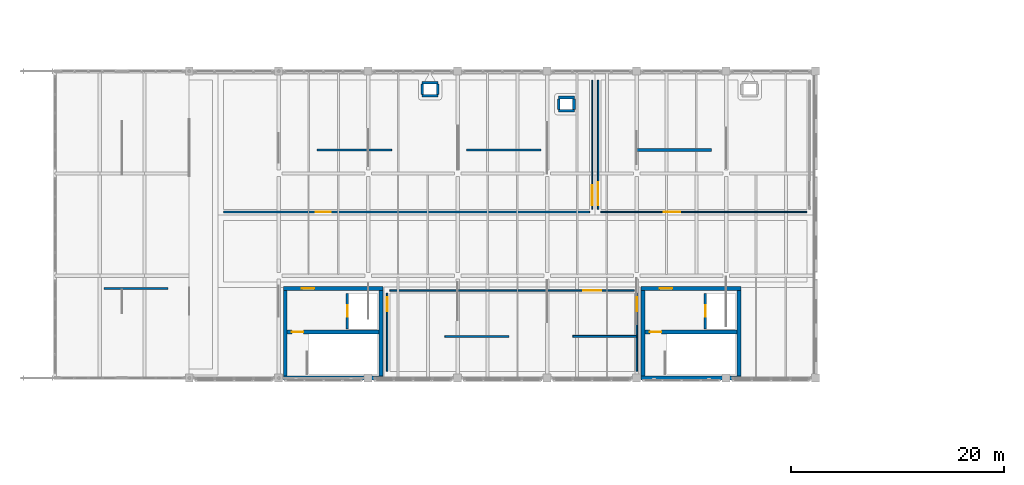
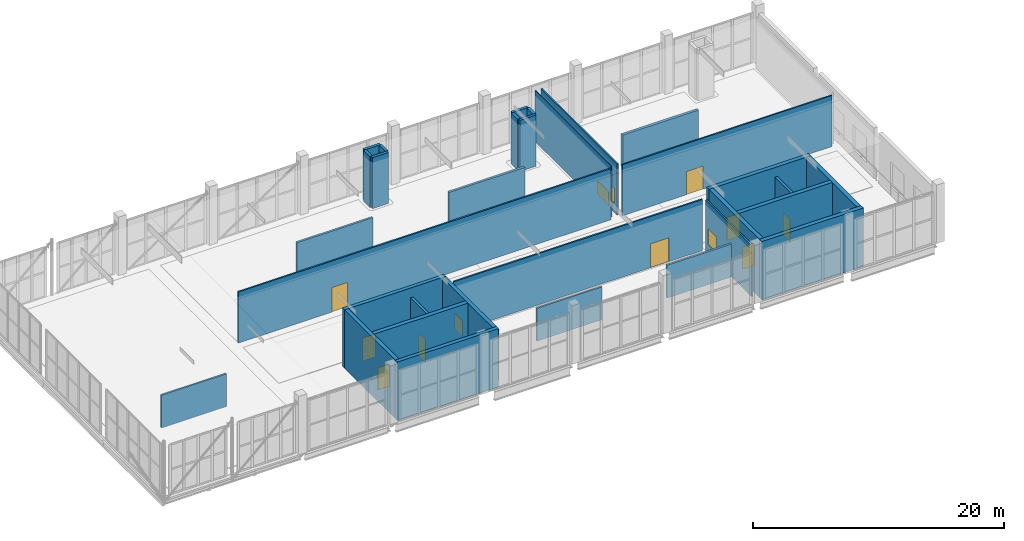
# One storey, part 38 of 49: 33 walls, 9 doors, 4 windows, 13 openings.
"""IFC4 building model written with IfcOpenShell, lengths in metres."""

from ifc_helpers import new_model, si_unit, direction, frame, frame_2d, origin, place, context, subcontext, project, spatial, rectangle, extrude, material, layer, layer_set, type_object, element, fill, save


model = new_model("IFC4")

# Units and contexts
model_context = context("Model", 3, precision=1e-05, world=origin(), true_north=direction((0.0, 1.0)))
body_context = subcontext(model_context, "Body", "Model", "MODEL_VIEW")
ifc_project = project(units=[si_unit("LENGTHUNIT", "METRE"), si_unit("AREAUNIT", "SQUARE_METRE"), si_unit("VOLUMEUNIT", "CUBIC_METRE"), si_unit("PLANEANGLEUNIT", "RADIAN"), si_unit("MASSUNIT", "GRAM", prefix="KILO")], contexts=[model_context])

# Site, building, storey
site_placement = place(None, origin())
site = spatial("IfcSite", under=ifc_project, at=site_placement, CompositionType="ELEMENT")
building_placement = place(site_placement, origin())
building = spatial("IfcBuilding", under=site, at=building_placement, Name="Zulmaris Art Gallery", CompositionType="ELEMENT")
storey_placement = place(building_placement, frame((0.0, 0.0, 20.699951171875)))
storey = spatial("IfcBuildingStorey", under=building, at=storey_placement, Name="L04", CompositionType="ELEMENT", Elevation=20.699951171875)

# Walls
ifc_material_1 = material(Name="Demountable Timber-Clad Exhibition Wall A", Category="wood")
ifc_layer_1 = layer(ifc_material_1, 0.152099609375)
ifc_layer_set_1 = layer_set([ifc_layer_1], Name="Demountable Timber-Clad Exhibition Wall A")
wall_type_1 = type_object("IfcWallType", Name="IWALL-MW01", PredefinedType="MOVABLE", material=ifc_layer_set_1)
for number, where, z_axis, x_axis, name in (
    (1, (16.0, 30.0, 0.0), (0.0, 0.0, 1.0), (1.0, 0.0, 0.0), "L04 Movable Gallery Display Wall 19"),
    (2, (48.0, 25.5, 0.0), (0.0, 0.0, 1.0), (1.0, 0.0, 0.0), "L04 Movable Gallery Display Wall 23"),
):
    element("IfcWall", number, at=place(storey_placement, frame(where, z_axis=z_axis, x_axis=x_axis)), inside=storey, type_object=wall_type_1, Name=name, PredefinedType="MOVABLE", context=body_context, shape_type="SweptSolid", body=[
        extrude(rectangle(XDim=6.0, YDim=0.152099609375, at=frame_2d((3.0, 0.0))), origin(), (0.0, 0.0, 1.0), 3.199951171875),
    ])
ifc_material_2 = material(Name="Track-Hung Acoustic Gallery Display Wall B", Category="timber")
ifc_layer_2 = layer(ifc_material_2, 0.181884765625)
ifc_layer_set_2 = layer_set([ifc_layer_2], Name="Track-Hung Acoustic Gallery Display Wall B")
wall_type_2 = type_object("IfcWallType", Name="IWALL-MW02", PredefinedType="MOVABLE", material=ifc_layer_set_2)
wall_1_placement = place(storey_placement, frame((36.0, 43.0, 0.0), z_axis=(0.0, 0.0, 1.0), x_axis=(1.0, 0.0, 0.0)))
element("IfcWall", 3, at=wall_1_placement, inside=storey, type_object=wall_type_2, Name="L04 Movable Gallery Display Wall 20", PredefinedType="MOVABLE", context=body_context, shape_type="SweptSolid", body=[
    extrude(rectangle(XDim=7.0, YDim=0.181884765625, at=frame_2d((3.5, 0.0))), origin(), (0.0, 0.0, 1.0), 3.199951171875),
])
wall_2_placement = place(storey_placement, frame((60.0, 25.5, 0.0), z_axis=(0.0, 0.0, 1.0), x_axis=(1.0, 0.0, 0.0)))
element("IfcWall", 4, at=wall_2_placement, inside=storey, type_object=wall_type_2, Name="L04 Movable Gallery Display Wall 24", PredefinedType="MOVABLE", context=body_context, shape_type="SweptSolid", body=[
    extrude(rectangle(XDim=6.0, YDim=0.181884765625, at=frame_2d((3.0, 0.0))), origin(), (0.0, 0.0, 1.0), 3.199951171875),
])
ifc_material_3 = material(Name="Freestanding Sculpture Plinth Screen Wall C", Category="timber")
ifc_layer_3 = layer(ifc_material_3, 0.2119140625)
ifc_layer_set_3 = layer_set([ifc_layer_3], Name="Freestanding Sculpture Plinth Screen Wall C")
wall_type_3 = type_object("IfcWallType", Name="IWALL-MW03", PredefinedType="MOVABLE", material=ifc_layer_set_3)
wall_3_placement = place(storey_placement, frame((50.0, 43.0, 0.0), z_axis=(0.0, 0.0, 1.0), x_axis=(1.0, 0.0, 0.0)))
element("IfcWall", 5, at=wall_3_placement, inside=storey, type_object=wall_type_3, Name="L04 Movable Gallery Display Wall 21", PredefinedType="MOVABLE", context=body_context, shape_type="SweptSolid", body=[
    extrude(rectangle(XDim=7.0, YDim=0.2119140625, at=frame_2d((3.5, 0.0))), origin(), (0.0, 0.0, 1.0), 3.199951171875),
])
ifc_material_4 = material(Name="Pivoting Double-Sided Canvas Display Wall D", Category="timber")
ifc_layer_4 = layer(ifc_material_4, 0.248046875)
ifc_layer_set_4 = layer_set([ifc_layer_4], Name="Pivoting Double-Sided Canvas Display Wall D")
wall_type_4 = type_object("IfcWallType", Name="IWALL-MW04", PredefinedType="MOVABLE", material=ifc_layer_set_4)
wall_4_placement = place(storey_placement, frame((66.0, 43.0, 0.0), z_axis=(0.0, 0.0, 1.0), x_axis=(1.0, 0.0, 0.0)))
element("IfcWall", 6, at=wall_4_placement, inside=storey, type_object=wall_type_4, Name="L04 Movable Gallery Display Wall 22", PredefinedType="MOVABLE", context=body_context, shape_type="SweptSolid", body=[
    extrude(rectangle(XDim=7.0, YDim=0.248046875, at=frame_2d((3.5, 0.0))), origin(), (0.0, 0.0, 1.0), 3.199951171875),
])

# Wall, opening, window
ifc_material_5 = material(Name="Acoustic Office Gypsum Partition", Category="gypsum")
ifc_layer_5 = layer(ifc_material_5, 0.10009765625)
ifc_layer_set_5 = layer_set([ifc_layer_5], Name="Acoustic Office Gypsum Partition")
wall_type_5 = type_object("IfcWallType", Name="IWALL-PW01", PredefinedType="PARTITIONING", material=ifc_layer_set_5)
wall_5_placement = place(storey_placement, frame((61.820068359375, 37.429931640625, 0.0), z_axis=(0.0, 0.0, 1.0), x_axis=(0.0, 1.0, 0.0)))
wall_5 = element("IfcWall", 7, at=wall_5_placement, inside=storey, type_object=wall_type_5, Name="Top-Lit Grand Exhibition Gallery Hall E partition", PredefinedType="PARTITIONING", context=body_context, shape_type="SweptSolid", body=[
    extrude(rectangle(XDim=12.14013671875, YDim=0.10009765625, at=frame_2d((6.070068359375, 0.0))), origin(), (0.0, 0.0, 1.0), 4.97998046875),
])
opening_1_placement = place(wall_5_placement, frame((0.39990234375, 0.0, 0.89990234375)))
opening_1 = element("IfcOpeningElement", 8, at=opening_1_placement, cuts=wall_5, Name="Opening IW02", PredefinedType="OPENING", context=body_context, shape_type="SweptSolid", body=[
    extrude(rectangle(XDim=1.860107421875, YDim=1.280029296875, at=frame_2d((0.93017578125, 0.64013671875))), frame((0.0, 0.06005859375, 0.0), z_axis=(0.0, -1.0, 0.0), x_axis=(1.0, 0.0, 0.0)), (0.0, 0.0, 1.0), 0.1201171875),
])
ifc_material_6 = material(Name="Auditorium Booth Acoustic Window", Category="glass")
window_type_1 = type_object("IfcWindowType", Name="IWIN-IW02", PartitioningType="SINGLE_PANEL", PredefinedType="WINDOW", material=ifc_material_6)
window_1_placement = place(opening_1_placement, origin())
window_1 = element("IfcWindow", 9, at=window_1_placement, inside=storey, type_object=window_type_1, Name="L04 interior observation window IW02", OverallHeight=1.280029296875, OverallWidth=1.860107421875, PartitioningType="SINGLE_PANEL", PredefinedType="WINDOW", context=body_context, shape_type="SweptSolid", body=[
    extrude(rectangle(XDim=1.860107421875, YDim=1.280029296875, at=frame_2d((0.93017578125, 0.64013671875))), frame((0.0, 0.030029296875, 0.0), z_axis=(0.0, -1.0, 0.0), x_axis=(1.0, 0.0, 0.0)), (0.0, 0.0, 1.0), 0.06005859375),
])
fill(opening_1, window_1)

# Wall, opening, door
ifc_material_7 = material(Name="Light Gallery Backing Partition", Category="gypsum")
ifc_layer_6 = layer(ifc_material_7, 0.1298828125)
ifc_layer_set_6 = layer_set([ifc_layer_6], Name="Light Gallery Backing Partition")
wall_type_6 = type_object("IfcWallType", Name="IWALL-PW03", PredefinedType="PARTITIONING", material=ifc_layer_set_6)
wall_6_placement = place(storey_placement, frame((62.6298828125, 37.179931640625, 0.0), z_axis=(0.0, 0.0, 1.0), x_axis=(1.0, 0.0, 0.0)))
wall_6 = element("IfcWall", 10, at=wall_6_placement, inside=storey, type_object=wall_type_6, Name="East Skylight Contemporary Gallery S partition", PredefinedType="PARTITIONING", context=body_context, shape_type="SweptSolid", body=[
    extrude(rectangle(XDim=19.340087890625, YDim=0.1298828125, at=frame_2d((9.669921875, 0.0))), origin(), (0.0, 0.0, 1.0), 4.97998046875),
])
opening_2_placement = place(wall_6_placement, frame((5.89990234375, 0.0, 0.0)))
opening_2 = element("IfcOpeningElement", 11, at=opening_2_placement, cuts=wall_6, Name="Opening D13", PredefinedType="OPENING", context=body_context, shape_type="SweptSolid", body=[
    extrude(rectangle(XDim=1.56005859375, YDim=2.260009765625, at=frame_2d((0.780029296875, 1.1298828125))), frame((0.0, 0.074951171875, 0.0), z_axis=(0.0, -1.0, 0.0), x_axis=(1.0, 0.0, 0.0)), (0.0, 0.0, 1.0), 0.14990234375),
])
ifc_material_8 = material(Name="Corridor Cross-Compartment Double Door", Category="timber")
door_type_1 = type_object("IfcDoorType", Name="IDOOR-D13", OperationType="DOUBLE_SWING_LEFT", PredefinedType="DOOR", material=ifc_material_8)
door_1_placement = place(opening_2_placement, origin())
door_1 = element("IfcDoor", 12, at=door_1_placement, inside=storey, type_object=door_type_1, Name="East Skylight Contemporary Gallery Door", OperationType="DOUBLE_SWING_LEFT", OverallHeight=2.260009765625, OverallWidth=1.56005859375, PredefinedType="DOOR", context=body_context, shape_type="SweptSolid", body=[
    extrude(rectangle(XDim=1.56005859375, YDim=2.260009765625, at=frame_2d((0.780029296875, 1.1298828125))), frame((0.0, 0.02490234375, 0.0), z_axis=(0.0, -1.0, 0.0), x_axis=(1.0, 0.0, 0.0)), (0.0, 0.0, 1.0), 0.050048828125),
])
fill(opening_2, door_1)

# Wall, opening, window
wall_7_placement = place(storey_placement, frame((62.3798828125, 37.429931640625, 0.0), z_axis=(0.0, 0.0, 1.0), x_axis=(0.0, 1.0, 0.0)))
wall_7 = element("IfcWall", 13, at=wall_7_placement, inside=storey, type_object=wall_type_6, Name="East Skylight Contemporary Gallery W partition", PredefinedType="PARTITIONING", context=body_context, shape_type="SweptSolid", body=[
    extrude(rectangle(XDim=12.14013671875, YDim=0.1298828125, at=frame_2d((6.070068359375, 0.0))), origin(), (0.0, 0.0, 1.0), 4.97998046875),
])
opening_3_placement = place(wall_7_placement, frame((0.39990234375, 0.0, 0.89990234375)))
opening_3 = element("IfcOpeningElement", 14, at=opening_3_placement, cuts=wall_7, Name="Opening IW03", PredefinedType="OPENING", context=body_context, shape_type="SweptSolid", body=[
    extrude(rectangle(XDim=2.159912109375, YDim=1.419921875, at=frame_2d((1.080078125, 0.7099609375))), frame((0.0, 0.074951171875, 0.0), z_axis=(0.0, -1.0, 0.0), x_axis=(1.0, 0.0, 0.0)), (0.0, 0.0, 1.0), 0.14990234375),
])
ifc_material_9 = material(Name="Analytical Lab Observation Window", Category="glass")
window_type_2 = type_object("IfcWindowType", Name="IWIN-IW03", PartitioningType="SINGLE_PANEL", PredefinedType="WINDOW", material=ifc_material_9)
window_2_placement = place(opening_3_placement, origin())
window_2 = element("IfcWindow", 15, at=window_2_placement, inside=storey, type_object=window_type_2, Name="L04 interior observation window IW03", OverallHeight=1.419921875, OverallWidth=2.159912109375, PartitioningType="SINGLE_PANEL", PredefinedType="WINDOW", context=body_context, shape_type="SweptSolid", body=[
    extrude(rectangle(XDim=2.159912109375, YDim=1.419921875, at=frame_2d((1.080078125, 0.7099609375))), frame((0.0, 0.030029296875, 0.0), z_axis=(0.0, -1.0, 0.0), x_axis=(1.0, 0.0, 0.0)), (0.0, 0.0, 1.0), 0.06005859375),
])
fill(opening_3, window_2)

# Wall, opening, door
ifc_material_10 = material(Name="Plywood-Backed Gallery Hanging Partition", Category="wood")
ifc_layer_7 = layer(ifc_material_10, 0.14501953125)
ifc_layer_set_7 = layer_set([ifc_layer_7], Name="Plywood-Backed Gallery Hanging Partition")
wall_type_7 = type_object("IfcWallType", Name="IWALL-PW04", PredefinedType="PARTITIONING", material=ifc_layer_set_7)
wall_8_placement = place(storey_placement, frame((27.22998046875, 37.179931640625, 0.0), z_axis=(0.0, 0.0, 1.0), x_axis=(1.0, 0.0, 0.0)))
wall_8 = element("IfcWall", 16, at=wall_8_placement, inside=storey, type_object=wall_type_7, Name="Top-Lit Grand Exhibition Gallery Hall S partition", PredefinedType="PARTITIONING", context=body_context, shape_type="SweptSolid", body=[
    extrude(rectangle(XDim=34.340087890625, YDim=0.14501953125, at=frame_2d((17.169921875, 0.0))), origin(), (0.0, 0.0, 1.0), 4.97998046875),
])
opening_4_placement = place(wall_8_placement, frame((8.64990234375, 0.0, 0.0)))
opening_4 = element("IfcOpeningElement", 17, at=opening_4_placement, cuts=wall_8, Name="Opening D12", PredefinedType="OPENING", context=body_context, shape_type="SweptSolid", body=[
    extrude(rectangle(XDim=1.419921875, YDim=2.39990234375, at=frame_2d((0.7099609375, 1.199951171875))), frame((0.0, 0.08251953125, 0.0), z_axis=(0.0, -1.0, 0.0), x_axis=(1.0, 0.0, 0.0)), (0.0, 0.0, 1.0), 0.1650390625),
])
ifc_material_11 = material(Name="Gallery Single Curatorial Door", Category="timber")
door_type_2 = type_object("IfcDoorType", Name="IDOOR-D12", OperationType="NOTDEFINED", PredefinedType="DOOR", material=ifc_material_11)
door_2_placement = place(opening_4_placement, origin())
door_2 = element("IfcDoor", 18, at=door_2_placement, inside=storey, type_object=door_type_2, Name="Top-Lit Grand Exhibition Gallery Hall Door", OperationType="SINGLE_SWING_RIGHT", OverallHeight=2.39990234375, OverallWidth=1.419921875, PredefinedType="DOOR", context=body_context, shape_type="SweptSolid", body=[
    extrude(rectangle(XDim=1.419921875, YDim=2.39990234375, at=frame_2d((0.7099609375, 1.199951171875))), frame((0.0, 0.02490234375, 0.0), z_axis=(0.0, -1.0, 0.0), x_axis=(1.0, 0.0, 0.0)), (0.0, 0.0, 1.0), 0.050048828125),
])
fill(opening_4, door_2)

wall_9_placement = place(storey_placement, frame((42.830078125, 29.820068359375, 0.0), z_axis=(0.0, 0.0, 1.0), x_axis=(1.0, 0.0, 0.0)))
wall_9 = element("IfcWall", 19, at=wall_9_placement, inside=storey, type_object=wall_type_7, Name="South Clerestory Sculpture Salon N partition", PredefinedType="PARTITIONING", context=body_context, shape_type="SweptSolid", body=[
    extrude(rectangle(XDim=22.93994140625, YDim=0.14501953125, at=frame_2d((11.469970703125, 0.0))), origin(), (0.0, 0.0, 1.0), 4.97998046875),
])
opening_5_placement = place(wall_9_placement, frame((18.14990234375, 0.0, 0.0)))
opening_5 = element("IfcOpeningElement", 20, at=opening_5_placement, cuts=wall_9, Name="Opening D14", PredefinedType="OPENING", context=body_context, shape_type="SweptSolid", body=[
    extrude(rectangle(XDim=1.679931640625, YDim=2.320068359375, at=frame_2d((0.83984375, 1.16015625))), frame((0.0, 0.08251953125, 0.0), z_axis=(0.0, -1.0, 0.0), x_axis=(1.0, 0.0, 0.0)), (0.0, 0.0, 1.0), 0.1650390625),
])
ifc_material_12 = material(Name="Plant Room Double Access Door", Category="steel")
door_type_3 = type_object("IfcDoorType", Name="IDOOR-D14", OperationType="DOUBLE_SWING_RIGHT", PredefinedType="DOOR", material=ifc_material_12)
door_3_placement = place(opening_5_placement, origin())
door_3 = element("IfcDoor", 21, at=door_3_placement, inside=storey, type_object=door_type_3, Name="South Clerestory Sculpture Salon Door", OperationType="DOUBLE_SWING_RIGHT", OverallHeight=2.320068359375, OverallWidth=1.679931640625, PredefinedType="DOOR", context=body_context, shape_type="SweptSolid", body=[
    extrude(rectangle(XDim=1.679931640625, YDim=2.320068359375, at=frame_2d((0.83984375, 1.16015625))), frame((0.0, 0.02490234375, 0.0), z_axis=(0.0, -1.0, 0.0), x_axis=(1.0, 0.0, 0.0)), (0.0, 0.0, 1.0), 0.050048828125),
])
fill(opening_5, door_3)

# Wall, opening, window
wall_10_placement = place(storey_placement, frame((42.580078125, 22.22998046875, 0.0), z_axis=(0.0, 0.0, 1.0), x_axis=(0.0, 1.0, 0.0)))
wall_10 = element("IfcWall", 22, at=wall_10_placement, inside=storey, type_object=wall_type_7, Name="South Clerestory Sculpture Salon W partition", PredefinedType="PARTITIONING", context=body_context, shape_type="SweptSolid", body=[
    extrude(rectangle(XDim=7.340087890625, YDim=0.14501953125, at=frame_2d((3.669921875, 0.0))), origin(), (0.0, 0.0, 1.0), 4.97998046875),
])
opening_6_placement = place(wall_10_placement, frame((5.6201171875, 0.0, 0.89990234375)))
opening_6 = element("IfcOpeningElement", 23, at=opening_6_placement, cuts=wall_10, Name="Opening IW04", PredefinedType="OPENING", context=body_context, shape_type="SweptSolid", body=[
    extrude(rectangle(XDim=1.320068359375, YDim=1.5, at=frame_2d((0.66015625, 0.75))), frame((0.0, 0.08251953125, 0.0), z_axis=(0.0, -1.0, 0.0), x_axis=(1.0, 0.0, 0.0)), (0.0, 0.0, 1.0), 0.1650390625),
])
ifc_material_13 = material(Name="Curatorial Study Vitrine Window", Category="glass")
window_type_3 = type_object("IfcWindowType", Name="IWIN-IW04", PartitioningType="SINGLE_PANEL", PredefinedType="WINDOW", material=ifc_material_13)
window_3_placement = place(opening_6_placement, origin())
window_3 = element("IfcWindow", 24, at=window_3_placement, inside=storey, type_object=window_type_3, Name="L04 interior observation window IW04", OverallHeight=1.5, OverallWidth=1.320068359375, PartitioningType="SINGLE_PANEL", PredefinedType="WINDOW", context=body_context, shape_type="SweptSolid", body=[
    extrude(rectangle(XDim=1.320068359375, YDim=1.5, at=frame_2d((0.66015625, 0.75))), frame((0.0, 0.030029296875, 0.0), z_axis=(0.0, -1.0, 0.0), x_axis=(1.0, 0.0, 0.0)), (0.0, 0.0, 1.0), 0.06005859375),
])
fill(opening_6, window_3)

wall_11_placement = place(storey_placement, frame((66.02001953125, 22.22998046875, 0.0), z_axis=(0.0, 0.0, 1.0), x_axis=(0.0, 1.0, 0.0)))
wall_11 = element("IfcWall", 25, at=wall_11_placement, inside=storey, type_object=wall_type_7, Name="South Clerestory Sculpture Salon E partition", PredefinedType="PARTITIONING", context=body_context, shape_type="SweptSolid", body=[
    extrude(rectangle(XDim=7.340087890625, YDim=0.14501953125, at=frame_2d((3.669921875, 0.0))), origin(), (0.0, 0.0, 1.0), 4.97998046875),
])
opening_7_placement = place(wall_11_placement, frame((5.6201171875, 0.0, 0.89990234375)))
opening_7 = element("IfcOpeningElement", 26, at=opening_7_placement, cuts=wall_11, Name="Opening IW04", PredefinedType="OPENING", context=body_context, shape_type="SweptSolid", body=[
    extrude(rectangle(XDim=1.320068359375, YDim=1.5, at=frame_2d((0.66015625, 0.75))), frame((0.0, 0.08251953125, 0.0), z_axis=(0.0, -1.0, 0.0), x_axis=(1.0, 0.0, 0.0)), (0.0, 0.0, 1.0), 0.1650390625),
])
window_4_placement = place(opening_7_placement, origin())
window_4 = element("IfcWindow", 27, at=window_4_placement, inside=storey, type_object=window_type_3, Name="L04 interior observation window IW04", OverallHeight=1.5, OverallWidth=1.320068359375, PartitioningType="SINGLE_PANEL", PredefinedType="WINDOW", context=body_context, shape_type="SweptSolid", body=[
    extrude(rectangle(XDim=1.320068359375, YDim=1.5, at=frame_2d((0.66015625, 0.75))), frame((0.0, 0.030029296875, 0.0), z_axis=(0.0, -1.0, 0.0), x_axis=(1.0, 0.0, 0.0)), (0.0, 0.0, 1.0), 0.06005859375),
])
fill(opening_7, window_4)

# Wall, opening, door
ifc_material_14 = material(Name="Core Lobby Fire-Resisting Masonry Wall", Category="masonry")
ifc_layer_8 = layer(ifc_material_14, 0.235107421875)
ifc_layer_set_8 = layer_set([ifc_layer_8], Name="Core Lobby Fire-Resisting Masonry Wall")
wall_type_8 = type_object("IfcWallType", Name="IWALL-PW10", PredefinedType="PARTITIONING", material=ifc_layer_set_8)
wall_12_placement = place(storey_placement, frame((38.85009765625, 26.219970703125, 0.0), z_axis=(0.0, 0.0, 1.0), x_axis=(0.0, 1.0, 0.0)))
wall_12 = element("IfcWall", 28, at=wall_12_placement, inside=storey, type_object=wall_type_8, Name="LF-P1 L04 lift shaft front wall", PredefinedType="PARTITIONING", context=body_context, shape_type="SweptSolid", body=[
    extrude(rectangle(XDim=3.330078125, YDim=0.235107421875, at=frame_2d((1.6650390625, 0.0))), origin(), (0.0, 0.0, 1.0), 4.97998046875),
])
opening_8_placement = place(wall_12_placement, frame((1.114990234375, 0.0, 0.0)))
opening_8 = element("IfcOpeningElement", 29, at=opening_8_placement, cuts=wall_12, Name="Opening LD01", PredefinedType="OPENING", context=body_context, shape_type="SweptSolid", body=[
    extrude(rectangle(XDim=1.10009765625, YDim=2.199951171875, at=frame_2d((0.550048828125, 1.10009765625))), frame((0.0, 0.12744140625, 0.0), z_axis=(0.0, -1.0, 0.0), x_axis=(1.0, 0.0, 0.0)), (0.0, 0.0, 1.0), 0.255126953125),
])
ifc_material_15 = material(Name="Passenger Lift Sliding Landing Door", Category="steel")
door_type_4 = type_object("IfcDoorType", Name="IDOOR-LD01", OperationType="SLIDING_TO_LEFT", PredefinedType="DOOR", material=ifc_material_15)
door_4_placement = place(opening_8_placement, origin())
door_4 = element("IfcDoor", 30, at=door_4_placement, inside=storey, type_object=door_type_4, Name="LF-P1 L04 Lift Landing Sliding Door", OperationType="SLIDING_TO_LEFT", OverallHeight=2.199951171875, OverallWidth=1.10009765625, PredefinedType="DOOR", context=body_context, shape_type="SweptSolid", body=[
    extrude(rectangle(XDim=1.10009765625, YDim=2.199951171875, at=frame_2d((0.550048828125, 1.10009765625))), frame((0.0, 0.02490234375, 0.0), z_axis=(0.0, -1.0, 0.0), x_axis=(1.0, 0.0, 0.0)), (0.0, 0.0, 1.0), 0.050048828125),
])
fill(opening_8, door_4)

wall_13_placement = place(storey_placement, frame((72.449951171875, 26.219970703125, 0.0), z_axis=(0.0, 0.0, 1.0), x_axis=(0.0, 1.0, 0.0)))
wall_13 = element("IfcWall", 31, at=wall_13_placement, inside=storey, type_object=wall_type_8, Name="LF-P2 L04 lift shaft front wall", PredefinedType="PARTITIONING", context=body_context, shape_type="SweptSolid", body=[
    extrude(rectangle(XDim=3.330078125, YDim=0.235107421875, at=frame_2d((1.6650390625, 0.0))), origin(), (0.0, 0.0, 1.0), 4.97998046875),
])
opening_9_placement = place(wall_13_placement, frame((1.114990234375, 0.0, 0.0)))
opening_9 = element("IfcOpeningElement", 32, at=opening_9_placement, cuts=wall_13, Name="Opening LD01", PredefinedType="OPENING", context=body_context, shape_type="SweptSolid", body=[
    extrude(rectangle(XDim=1.10009765625, YDim=2.199951171875, at=frame_2d((0.550048828125, 1.10009765625))), frame((0.0, 0.12744140625, 0.0), z_axis=(0.0, -1.0, 0.0), x_axis=(1.0, 0.0, 0.0)), (0.0, 0.0, 1.0), 0.255126953125),
])
door_5_placement = place(opening_9_placement, origin())
door_5 = element("IfcDoor", 33, at=door_5_placement, inside=storey, type_object=door_type_4, Name="LF-P2 L04 Lift Landing Sliding Door", OperationType="SLIDING_TO_LEFT", OverallHeight=2.199951171875, OverallWidth=1.10009765625, PredefinedType="DOOR", context=body_context, shape_type="SweptSolid", body=[
    extrude(rectangle(XDim=1.10009765625, YDim=2.199951171875, at=frame_2d((0.550048828125, 1.10009765625))), frame((0.0, 0.02490234375, 0.0), z_axis=(0.0, -1.0, 0.0), x_axis=(1.0, 0.0, 0.0)), (0.0, 0.0, 1.0), 0.050048828125),
])
fill(opening_9, door_5)

# Walls
ifc_material_16 = material(Name="MEP Riser & Smoke Shaft Enclosure Wall", Category="masonry")
ifc_layer_9 = layer(ifc_material_16, 0.2548828125)
ifc_layer_set_9 = layer_set([ifc_layer_9], Name="MEP Riser & Smoke Shaft Enclosure Wall")
wall_type_9 = type_object("IfcWallType", Name="IWALL-PW11", PredefinedType="PARTITIONING", material=ifc_layer_set_9)
for number, where, z_axis, x_axis, name in (
    (34, (45.860107421875, 49.320068359375, 0.0), (0.0, 0.0, 1.0), (1.0, 0.0, 0.0), "L04 MEP Riser 1 N wall"),
    (35, (45.860107421875, 48.080078125, 0.0), (0.0, 0.0, 1.0), (1.0, 0.0, 0.0), "L04 MEP Riser 1 S wall"),
):
    element("IfcWall", number, at=place(storey_placement, frame(where, z_axis=z_axis, x_axis=x_axis)), inside=storey, type_object=wall_type_9, Name=name, PredefinedType="PARTITIONING", context=body_context, shape_type="SweptSolid", body=[
        extrude(rectangle(XDim=1.47998046875, YDim=0.2548828125, at=frame_2d((0.739990234375, 0.0))), origin(), (0.0, 0.0, 1.0), 4.97998046875),
    ])
for number, where, z_axis, x_axis, name in (
    (36, (45.8798828125, 48.199951171875, 0.0), (0.0, 0.0, 1.0), (0.0, 1.0, 0.0), "L04 MEP Riser 1 W wall"),
    (37, (47.320068359375, 48.199951171875, 0.0), (0.0, 0.0, 1.0), (0.0, 1.0, 0.0), "L04 MEP Riser 1 E wall"),
):
    element("IfcWall", number, at=place(storey_placement, frame(where, z_axis=z_axis, x_axis=x_axis)), inside=storey, type_object=wall_type_9, Name=name, PredefinedType="PARTITIONING", context=body_context, shape_type="SweptSolid", body=[
        extrude(rectangle(XDim=1.0, YDim=0.2548828125, at=frame_2d((0.5, 0.0))), origin(), (0.0, 0.0, 1.0), 4.97998046875),
    ])
for number, where, z_axis, x_axis, name in (
    (38, (58.659912109375, 47.919921875, 0.0), (0.0, 0.0, 1.0), (1.0, 0.0, 0.0), "L04 MEP Riser 2 N wall"),
    (39, (58.659912109375, 46.679931640625, 0.0), (0.0, 0.0, 1.0), (1.0, 0.0, 0.0), "L04 MEP Riser 2 S wall"),
):
    element("IfcWall", number, at=place(storey_placement, frame(where, z_axis=z_axis, x_axis=x_axis)), inside=storey, type_object=wall_type_9, Name=name, PredefinedType="PARTITIONING", context=body_context, shape_type="SweptSolid", body=[
        extrude(rectangle(XDim=1.47998046875, YDim=0.2548828125, at=frame_2d((0.739990234375, 0.0))), origin(), (0.0, 0.0, 1.0), 4.97998046875),
    ])
for number, where, z_axis, x_axis, name in (
    (40, (58.679931640625, 46.800048828125, 0.0), (0.0, 0.0, 1.0), (0.0, 1.0, 0.0), "L04 MEP Riser 2 W wall"),
    (41, (60.1201171875, 46.800048828125, 0.0), (0.0, 0.0, 1.0), (0.0, 1.0, 0.0), "L04 MEP Riser 2 E wall"),
):
    element("IfcWall", number, at=place(storey_placement, frame(where, z_axis=z_axis, x_axis=x_axis)), inside=storey, type_object=wall_type_9, Name=name, PredefinedType="PARTITIONING", context=body_context, shape_type="SweptSolid", body=[
        extrude(rectangle(XDim=1.0, YDim=0.2548828125, at=frame_2d((0.5, 0.0))), origin(), (0.0, 0.0, 1.0), 4.97998046875),
    ])
ifc_material_17 = material(Name="Concrete C50/60", Category="concrete")
ifc_layer_10 = layer(ifc_material_17, 0.35009765625)
ifc_layer_set_10 = layer_set([ifc_layer_10], Name="Concrete C50/60")
wall_type_10 = type_object("IfcWallType", Name="STR-WALL-SW01", PredefinedType="SHEAR", material=ifc_layer_set_10)
wall_14_placement = place(storey_placement, frame((32.824951171875, 21.60009765625, 0.0), z_axis=(0.0, 0.0, 1.0), x_axis=(1.0, 0.0, 0.0)))
element("IfcWall", 42, at=wall_14_placement, inside=storey, type_object=wall_type_10, Name="Core C1 L04 S shear wall", PredefinedType="SHEAR", context=body_context, shape_type="SweptSolid", body=[
    extrude(rectangle(XDim=9.35009765625, YDim=0.35009765625, at=frame_2d((4.675048828125, 0.0))), origin(), (0.0, 0.0, 1.0), 5.699951171875),
])

# Wall, opening, door
wall_15_placement = place(storey_placement, frame((32.824951171875, 30.0, 0.0), z_axis=(0.0, 0.0, 1.0), x_axis=(1.0, 0.0, 0.0)))
wall_15 = element("IfcWall", 43, at=wall_15_placement, inside=storey, type_object=wall_type_10, Name="Core C1 L04 N shear wall", PredefinedType="SHEAR", context=body_context, shape_type="SweptSolid", body=[
    extrude(rectangle(XDim=9.35009765625, YDim=0.35009765625, at=frame_2d((4.675048828125, 0.0))), origin(), (0.0, 0.0, 1.0), 5.699951171875),
])
opening_10_placement = place(wall_15_placement, frame((1.75, 0.0, 0.0)))
opening_10 = element("IfcOpeningElement", 44, at=opening_10_placement, cuts=wall_15, Name="Opening D08", PredefinedType="OPENING", context=body_context, shape_type="SweptSolid", body=[
    extrude(rectangle(XDim=1.179931640625, YDim=2.239990234375, at=frame_2d((0.58984375, 1.1201171875))), frame((0.0, 0.18505859375, 0.0), z_axis=(0.0, -1.0, 0.0), x_axis=(1.0, 0.0, 0.0)), (0.0, 0.0, 1.0), 0.3701171875),
])
ifc_material_18 = material(Name="Firefighting Lobby Compartment Door", Category="steel")
door_type_5 = type_object("IfcDoorType", Name="IDOOR-D08", OperationType="NOTDEFINED", PredefinedType="DOOR", material=ifc_material_18)
door_6_placement = place(opening_10_placement, origin())
door_6 = element("IfcDoor", 45, at=door_6_placement, inside=storey, type_object=door_type_5, Name="Core C1 L04 Lobby Compartment Door", OperationType="SINGLE_SWING_RIGHT", OverallHeight=2.239990234375, OverallWidth=1.179931640625, PredefinedType="DOOR", context=body_context, shape_type="SweptSolid", body=[
    extrude(rectangle(XDim=1.179931640625, YDim=2.239990234375, at=frame_2d((0.58984375, 1.1201171875))), frame((0.0, 0.02490234375, 0.0), z_axis=(0.0, -1.0, 0.0), x_axis=(1.0, 0.0, 0.0)), (0.0, 0.0, 1.0), 0.050048828125),
])
fill(opening_10, door_6)

# Walls
for number, where, z_axis, x_axis, name in (
    (46, (33.0, 21.77490234375, 0.0), (0.0, 0.0, 1.0), (0.0, 1.0, 0.0), "Core C1 L04 W shear wall"),
    (47, (42.0, 21.77490234375, 0.0), (0.0, 0.0, 1.0), (0.0, 1.0, 0.0), "Core C1 L04 E shear wall"),
):
    element("IfcWall", number, at=place(storey_placement, frame(where, z_axis=z_axis, x_axis=x_axis)), inside=storey, type_object=wall_type_10, Name=name, PredefinedType="SHEAR", context=body_context, shape_type="SweptSolid", body=[
        extrude(rectangle(XDim=8.050048828125, YDim=0.35009765625, at=frame_2d((4.02490234375, 0.0))), origin(), (0.0, 0.0, 1.0), 5.699951171875),
    ])

# Wall, opening, door
ifc_layer_11 = layer(ifc_material_17, 0.3798828125)
ifc_layer_set_11 = layer_set([ifc_layer_11], Name="Concrete C50/60")
wall_type_11 = type_object("IfcWallType", Name="STR-WALL-SW02", PredefinedType="SHEAR", material=ifc_layer_set_11)
wall_16_placement = place(storey_placement, frame((33.175048828125, 25.909912109375, 0.0), z_axis=(0.0, 0.0, 1.0), x_axis=(1.0, 0.0, 0.0)))
wall_16 = element("IfcWall", 48, at=wall_16_placement, inside=storey, type_object=wall_type_11, Name="Core C1 L04 DIV shear wall", PredefinedType="SHEAR", context=body_context, shape_type="SweptSolid", body=[
    extrude(rectangle(XDim=8.64990234375, YDim=0.3798828125, at=frame_2d((4.324951171875, 0.0))), origin(), (0.0, 0.0, 1.0), 5.699951171875),
])
opening_11_placement = place(wall_16_placement, frame((0.449951171875, 0.0, 0.0)))
opening_11 = element("IfcOpeningElement", 49, at=opening_11_placement, cuts=wall_16, Name="Opening D07", PredefinedType="OPENING", context=body_context, shape_type="SweptSolid", body=[
    extrude(rectangle(XDim=1.080078125, YDim=2.179931640625, at=frame_2d((0.5400390625, 1.08984375))), frame((0.0, 0.199951171875, 0.0), z_axis=(0.0, -1.0, 0.0), x_axis=(1.0, 0.0, 0.0)), (0.0, 0.0, 1.0), 0.39990234375),
])
ifc_material_19 = material(Name="Stairwell Fire Escape Door", Category="steel")
door_type_6 = type_object("IfcDoorType", Name="IDOOR-D07", OperationType="NOTDEFINED", PredefinedType="DOOR", material=ifc_material_19)
door_7_placement = place(opening_11_placement, origin())
door_7 = element("IfcDoor", 50, at=door_7_placement, inside=storey, type_object=door_type_6, Name="Core C1 L04 Stair ST1 Fire Door", OperationType="SINGLE_SWING_LEFT", OverallHeight=2.179931640625, OverallWidth=1.080078125, PredefinedType="DOOR", context=body_context, shape_type="SweptSolid", body=[
    extrude(rectangle(XDim=1.080078125, YDim=2.179931640625, at=frame_2d((0.5400390625, 1.08984375))), frame((0.0, 0.02490234375, 0.0), z_axis=(0.0, -1.0, 0.0), x_axis=(1.0, 0.0, 0.0)), (0.0, 0.0, 1.0), 0.050048828125),
])
fill(opening_11, door_7)

# Wall
wall_17_placement = place(storey_placement, frame((66.409912109375, 21.60009765625, 0.0), z_axis=(0.0, 0.0, 1.0), x_axis=(1.0, 0.0, 0.0)))
element("IfcWall", 51, at=wall_17_placement, inside=storey, type_object=wall_type_11, Name="Core C2 L04 S shear wall", PredefinedType="SHEAR", context=body_context, shape_type="SweptSolid", body=[
    extrude(rectangle(XDim=9.380126953125, YDim=0.3798828125, at=frame_2d((4.68994140625, 0.0))), origin(), (0.0, 0.0, 1.0), 5.699951171875),
])

# Wall, opening, door
wall_18_placement = place(storey_placement, frame((66.409912109375, 30.0, 0.0), z_axis=(0.0, 0.0, 1.0), x_axis=(1.0, 0.0, 0.0)))
wall_18 = element("IfcWall", 52, at=wall_18_placement, inside=storey, type_object=wall_type_11, Name="Core C2 L04 N shear wall", PredefinedType="SHEAR", context=body_context, shape_type="SweptSolid", body=[
    extrude(rectangle(XDim=9.380126953125, YDim=0.3798828125, at=frame_2d((4.68994140625, 0.0))), origin(), (0.0, 0.0, 1.0), 5.699951171875),
])
opening_12_placement = place(wall_18_placement, frame((1.75, 0.0, 0.0)))
opening_12 = element("IfcOpeningElement", 53, at=opening_12_placement, cuts=wall_18, Name="Opening D08", PredefinedType="OPENING", context=body_context, shape_type="SweptSolid", body=[
    extrude(rectangle(XDim=1.179931640625, YDim=2.239990234375, at=frame_2d((0.58984375, 1.1201171875))), frame((0.0, 0.199951171875, 0.0), z_axis=(0.0, -1.0, 0.0), x_axis=(1.0, 0.0, 0.0)), (0.0, 0.0, 1.0), 0.39990234375),
])
door_8_placement = place(opening_12_placement, origin())
door_8 = element("IfcDoor", 54, at=door_8_placement, inside=storey, type_object=door_type_5, Name="Core C2 L04 Lobby Compartment Door", OperationType="SINGLE_SWING_RIGHT", OverallHeight=2.239990234375, OverallWidth=1.179931640625, PredefinedType="DOOR", context=body_context, shape_type="SweptSolid", body=[
    extrude(rectangle(XDim=1.179931640625, YDim=2.239990234375, at=frame_2d((0.58984375, 1.1201171875))), frame((0.0, 0.02490234375, 0.0), z_axis=(0.0, -1.0, 0.0), x_axis=(1.0, 0.0, 0.0)), (0.0, 0.0, 1.0), 0.050048828125),
])
fill(opening_12, door_8)

# Walls
for number, where, z_axis, x_axis, name in (
    (55, (66.60009765625, 21.7900390625, 0.0), (0.0, 0.0, 1.0), (0.0, 1.0, 0.0), "Core C2 L04 W shear wall"),
    (56, (75.60009765625, 21.7900390625, 0.0), (0.0, 0.0, 1.0), (0.0, 1.0, 0.0), "Core C2 L04 E shear wall"),
):
    element("IfcWall", number, at=place(storey_placement, frame(where, z_axis=z_axis, x_axis=x_axis)), inside=storey, type_object=wall_type_11, Name=name, PredefinedType="SHEAR", context=body_context, shape_type="SweptSolid", body=[
        extrude(rectangle(XDim=8.02001953125, YDim=0.3798828125, at=frame_2d((4.010009765625, 0.0))), origin(), (0.0, 0.0, 1.0), 5.699951171875),
    ])

# Wall, opening, door
wall_19_placement = place(storey_placement, frame((66.7900390625, 25.909912109375, 0.0), z_axis=(0.0, 0.0, 1.0), x_axis=(1.0, 0.0, 0.0)))
wall_19 = element("IfcWall", 57, at=wall_19_placement, inside=storey, type_object=wall_type_11, Name="Core C2 L04 DIV shear wall", PredefinedType="SHEAR", context=body_context, shape_type="SweptSolid", body=[
    extrude(rectangle(XDim=8.619873046875, YDim=0.3798828125, at=frame_2d((4.31005859375, 0.0))), origin(), (0.0, 0.0, 1.0), 5.699951171875),
])
opening_13_placement = place(wall_19_placement, frame((0.449951171875, 0.0, 0.0)))
opening_13 = element("IfcOpeningElement", 58, at=opening_13_placement, cuts=wall_19, Name="Opening D07", PredefinedType="OPENING", context=body_context, shape_type="SweptSolid", body=[
    extrude(rectangle(XDim=1.080078125, YDim=2.179931640625, at=frame_2d((0.5400390625, 1.08984375))), frame((0.0, 0.199951171875, 0.0), z_axis=(0.0, -1.0, 0.0), x_axis=(1.0, 0.0, 0.0)), (0.0, 0.0, 1.0), 0.39990234375),
])
door_9_placement = place(opening_13_placement, origin())
door_9 = element("IfcDoor", 59, at=door_9_placement, inside=storey, type_object=door_type_6, Name="Core C2 L04 Stair ST2 Fire Door", OperationType="SINGLE_SWING_LEFT", OverallHeight=2.179931640625, OverallWidth=1.080078125, PredefinedType="DOOR", context=body_context, shape_type="SweptSolid", body=[
    extrude(rectangle(XDim=1.080078125, YDim=2.179931640625, at=frame_2d((0.5400390625, 1.08984375))), frame((0.0, 0.02490234375, 0.0), z_axis=(0.0, -1.0, 0.0), x_axis=(1.0, 0.0, 0.0)), (0.0, 0.0, 1.0), 0.050048828125),
])
fill(opening_13, door_9)

save(model, "model.ifc")
